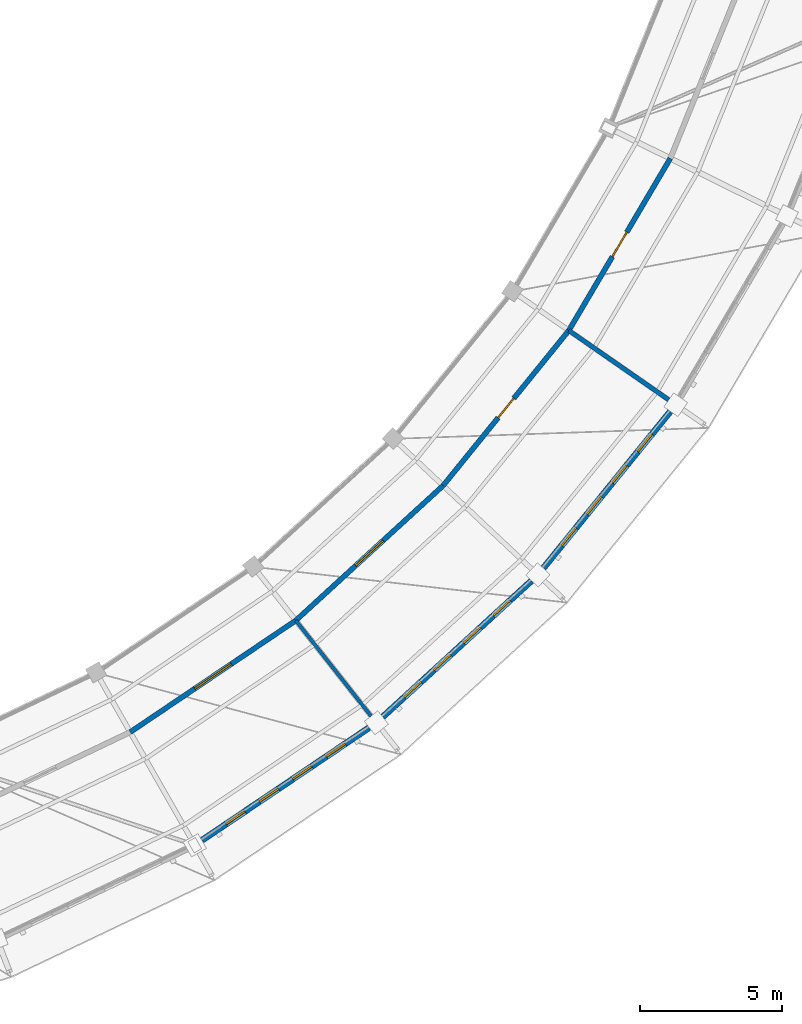
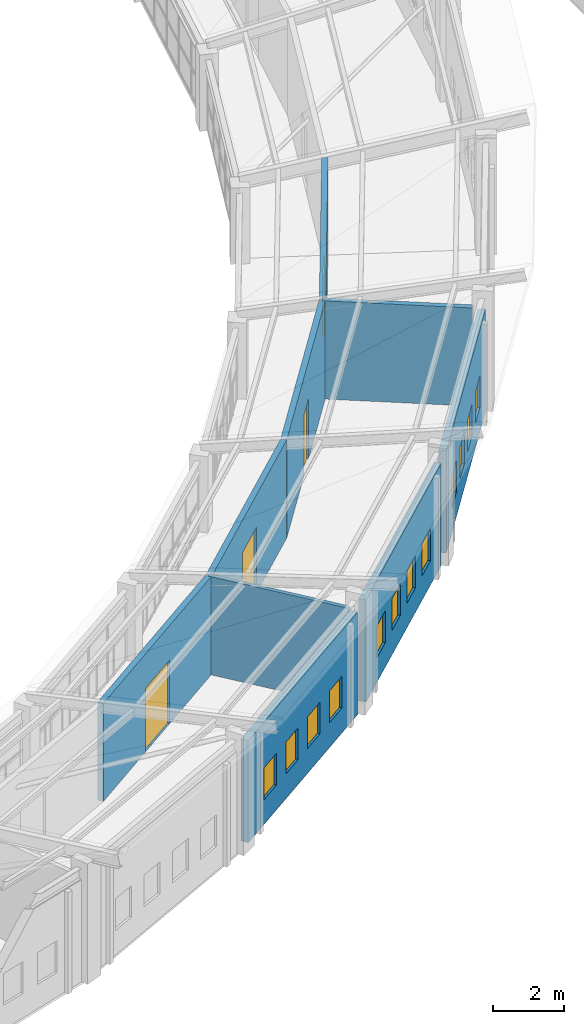
# One storey, part 124 of 149: 12 windows, 9 walls, 4 doors, 16 openings.
"""IFC4 building model written with IfcOpenShell, lengths in metres."""

from ifc_helpers import new_model, si_unit, direction, frame, frame_2d, origin, place, context, subcontext, project, spatial, rectangle, extrude, material, layer, layer_set, type_object, element, fill, save


model = new_model("IFC4")

# Units and contexts
model_context = context("Model", 3, precision=1e-05, world=origin(), true_north=direction((0.0, 1.0)))
body_context = subcontext(model_context, "Body", "Model", "MODEL_VIEW")
ifc_project = project(units=[si_unit("LENGTHUNIT", "METRE"), si_unit("AREAUNIT", "SQUARE_METRE"), si_unit("VOLUMEUNIT", "CUBIC_METRE"), si_unit("PLANEANGLEUNIT", "RADIAN"), si_unit("MASSUNIT", "GRAM", prefix="KILO")], contexts=[model_context])

# Site, building, storey
site_placement = place(None, origin())
site = spatial("IfcSite", under=ifc_project, at=site_placement, CompositionType="ELEMENT")
building_placement = place(site_placement, origin())
building = spatial("IfcBuilding", under=site, at=building_placement, Name="Celadon Cloister-Ring School", CompositionType="ELEMENT")
storey_placement = place(building_placement, frame((0.0, 0.0, 12.5)))
storey = spatial("IfcBuildingStorey", under=building, at=storey_placement, Name="L03", CompositionType="ELEMENT", Elevation=12.5)

# Wall, openings, windows
ifc_material_1 = material(Name="Perforated terracotta clay brick masonry", Category="masonry")
ifc_layer_1 = layer(ifc_material_1, 0.219970703125)
ifc_layer_set_1 = layer_set([ifc_layer_1], Name="Perforated terracotta clay brick masonry")
wall_type_1 = type_object("IfcWallType", Name="WT-EX4", PredefinedType="SOLIDWALL", material=ifc_layer_set_1)
wall_1_placement = place(storey_placement, frame((118.922119140625, 17.97900390625, 0.0), z_axis=(0.0, 0.0, 1.0), x_axis=(-0.829217797208, -0.558925616512, 0.0)))
wall_1 = element("IfcWall", 1, at=wall_1_placement, inside=storey, type_object=wall_type_1, Name="Exterior Wall 0195", PredefinedType="SOLIDWALL", context=body_context, shape_type="SweptSolid", body=[
    extrude(rectangle(XDim=7.08154296875, YDim=0.219970703125, at=frame_2d((3.540771484375, 0.0))), origin(), (0.0, 0.0, 1.0), 3.537109375),
])
opening_1_placement = place(wall_1_placement, frame((1.01611328125, 0.0, 0.85009765625)))
opening_1 = element("IfcOpeningElement", 2, at=opening_1_placement, cuts=wall_1, Name="Opening WN-01", PredefinedType="OPENING", context=body_context, shape_type="SweptSolid", body=[
    extrude(rectangle(XDim=0.800048828125, YDim=1.10009765625, at=frame_2d((0.39990234375, 0.550048828125))), frame((0.0, 0.1201171875, 0.0), z_axis=(0.0, -1.0, 0.0), x_axis=(1.0, 0.0, 0.0)), (0.0, 0.0, 1.0), 0.239990234375),
])
opening_2_placement = place(wall_1_placement, frame((2.43310546875, 0.0, 0.85009765625)))
opening_2 = element("IfcOpeningElement", 3, at=opening_2_placement, cuts=wall_1, Name="Opening WN-01", PredefinedType="OPENING", context=body_context, shape_type="SweptSolid", body=[
    extrude(rectangle(XDim=0.800048828125, YDim=1.10009765625, at=frame_2d((0.39990234375, 0.550048828125))), frame((0.0, 0.1201171875, 0.0), z_axis=(0.0, -1.0, 0.0), x_axis=(1.0, 0.0, 0.0)), (0.0, 0.0, 1.0), 0.239990234375),
])
opening_3_placement = place(wall_1_placement, frame((3.84912109375, 0.0, 0.85009765625)))
opening_3 = element("IfcOpeningElement", 4, at=opening_3_placement, cuts=wall_1, Name="Opening WN-01", PredefinedType="OPENING", context=body_context, shape_type="SweptSolid", body=[
    extrude(rectangle(XDim=0.800048828125, YDim=1.10009765625, at=frame_2d((0.39990234375, 0.550048828125))), frame((0.0, 0.1201171875, 0.0), z_axis=(0.0, -1.0, 0.0), x_axis=(1.0, 0.0, 0.0)), (0.0, 0.0, 1.0), 0.239990234375),
])
opening_4_placement = place(wall_1_placement, frame((5.264892578125, 0.0, 0.85009765625)))
opening_4 = element("IfcOpeningElement", 5, at=opening_4_placement, cuts=wall_1, Name="Opening WN-01", PredefinedType="OPENING", context=body_context, shape_type="SweptSolid", body=[
    extrude(rectangle(XDim=0.800048828125, YDim=1.10009765625, at=frame_2d((0.39990234375, 0.550048828125))), frame((0.0, 0.1201171875, 0.0), z_axis=(0.0, -1.0, 0.0), x_axis=(1.0, 0.0, 0.0)), (0.0, 0.0, 1.0), 0.239990234375),
])
ifc_material_2 = material(Name="Tempered laminated insulating glass", Category="glass")
window_type = type_object("IfcWindowType", Name="WN-01", PartitioningType="SINGLE_PANEL", PredefinedType="WINDOW", material=ifc_material_2)
window_1_placement = place(opening_1_placement, origin())
window_1 = element("IfcWindow", 6, at=window_1_placement, inside=storey, type_object=window_type, Name="Window 0522", OverallHeight=1.10009765625, OverallWidth=0.800048828125, PartitioningType="SINGLE_PANEL", PredefinedType="WINDOW", context=body_context, shape_type="SweptSolid", body=[
    extrude(rectangle(XDim=0.800048828125, YDim=1.10009765625, at=frame_2d((0.39990234375, 0.550048828125))), frame((0.0, 0.030029296875, 0.0), z_axis=(0.0, -1.0, 0.0), x_axis=(1.0, 0.0, 0.0)), (0.0, 0.0, 1.0), 0.06005859375),
])
fill(opening_1, window_1)
window_2_placement = place(opening_2_placement, origin())
window_2 = element("IfcWindow", 7, at=window_2_placement, inside=storey, type_object=window_type, Name="Window 0523", OverallHeight=1.10009765625, OverallWidth=0.800048828125, PartitioningType="SINGLE_PANEL", PredefinedType="WINDOW", context=body_context, shape_type="SweptSolid", body=[
    extrude(rectangle(XDim=0.800048828125, YDim=1.10009765625, at=frame_2d((0.39990234375, 0.550048828125))), frame((0.0, 0.030029296875, 0.0), z_axis=(0.0, -1.0, 0.0), x_axis=(1.0, 0.0, 0.0)), (0.0, 0.0, 1.0), 0.06005859375),
])
fill(opening_2, window_2)
window_3_placement = place(opening_3_placement, origin())
window_3 = element("IfcWindow", 8, at=window_3_placement, inside=storey, type_object=window_type, Name="Window 0524", OverallHeight=1.10009765625, OverallWidth=0.800048828125, PartitioningType="SINGLE_PANEL", PredefinedType="WINDOW", context=body_context, shape_type="SweptSolid", body=[
    extrude(rectangle(XDim=0.800048828125, YDim=1.10009765625, at=frame_2d((0.39990234375, 0.550048828125))), frame((0.0, 0.030029296875, 0.0), z_axis=(0.0, -1.0, 0.0), x_axis=(1.0, 0.0, 0.0)), (0.0, 0.0, 1.0), 0.06005859375),
])
fill(opening_3, window_3)
window_4_placement = place(opening_4_placement, origin())
window_4 = element("IfcWindow", 9, at=window_4_placement, inside=storey, type_object=window_type, Name="Window 0525", OverallHeight=1.10009765625, OverallWidth=0.800048828125, PartitioningType="SINGLE_PANEL", PredefinedType="WINDOW", context=body_context, shape_type="SweptSolid", body=[
    extrude(rectangle(XDim=0.800048828125, YDim=1.10009765625, at=frame_2d((0.39990234375, 0.550048828125))), frame((0.0, 0.030029296875, 0.0), z_axis=(0.0, -1.0, 0.0), x_axis=(1.0, 0.0, 0.0)), (0.0, 0.0, 1.0), 0.06005859375),
])
fill(opening_4, window_4)

wall_2_placement = place(storey_placement, frame((124.633056640625, 23.14599609375, 0.0), z_axis=(0.0, 0.0, 1.0), x_axis=(-0.737563208126, -0.675278101243, 0.0)))
wall_2 = element("IfcWall", 10, at=wall_2_placement, inside=storey, type_object=wall_type_1, Name="Exterior Wall 0196", PredefinedType="SOLIDWALL", context=body_context, shape_type="SweptSolid", body=[
    extrude(rectangle(XDim=7.0830078125, YDim=0.219970703125, at=frame_2d((3.54150390625, 0.0))), origin(), (0.0, 0.0, 1.0), 3.537109375),
])
opening_5_placement = place(wall_2_placement, frame((1.01708984375, 0.0, 0.85009765625)))
opening_5 = element("IfcOpeningElement", 11, at=opening_5_placement, cuts=wall_2, Name="Opening WN-01", PredefinedType="OPENING", context=body_context, shape_type="SweptSolid", body=[
    extrude(rectangle(XDim=0.800048828125, YDim=1.10009765625, at=frame_2d((0.39990234375, 0.550048828125))), frame((0.0, 0.1201171875, 0.0), z_axis=(0.0, -1.0, 0.0), x_axis=(1.0, 0.0, 0.0)), (0.0, 0.0, 1.0), 0.239990234375),
])
opening_6_placement = place(wall_2_placement, frame((2.43310546875, 0.0, 0.85009765625)))
opening_6 = element("IfcOpeningElement", 12, at=opening_6_placement, cuts=wall_2, Name="Opening WN-01", PredefinedType="OPENING", context=body_context, shape_type="SweptSolid", body=[
    extrude(rectangle(XDim=0.800048828125, YDim=1.10009765625, at=frame_2d((0.39990234375, 0.550048828125))), frame((0.0, 0.1201171875, 0.0), z_axis=(0.0, -1.0, 0.0), x_axis=(1.0, 0.0, 0.0)), (0.0, 0.0, 1.0), 0.239990234375),
])
opening_7_placement = place(wall_2_placement, frame((3.85009765625, 0.0, 0.85009765625)))
opening_7 = element("IfcOpeningElement", 13, at=opening_7_placement, cuts=wall_2, Name="Opening WN-01", PredefinedType="OPENING", context=body_context, shape_type="SweptSolid", body=[
    extrude(rectangle(XDim=0.800048828125, YDim=1.10009765625, at=frame_2d((0.39990234375, 0.550048828125))), frame((0.0, 0.1201171875, 0.0), z_axis=(0.0, -1.0, 0.0), x_axis=(1.0, 0.0, 0.0)), (0.0, 0.0, 1.0), 0.239990234375),
])
opening_8_placement = place(wall_2_placement, frame((5.26611328125, 0.0, 0.85009765625)))
opening_8 = element("IfcOpeningElement", 14, at=opening_8_placement, cuts=wall_2, Name="Opening WN-01", PredefinedType="OPENING", context=body_context, shape_type="SweptSolid", body=[
    extrude(rectangle(XDim=0.800048828125, YDim=1.10009765625, at=frame_2d((0.39990234375, 0.550048828125))), frame((0.0, 0.1201171875, 0.0), z_axis=(0.0, -1.0, 0.0), x_axis=(1.0, 0.0, 0.0)), (0.0, 0.0, 1.0), 0.239990234375),
])
window_5_placement = place(opening_5_placement, origin())
window_5 = element("IfcWindow", 15, at=window_5_placement, inside=storey, type_object=window_type, Name="Window 0526", OverallHeight=1.10009765625, OverallWidth=0.800048828125, PartitioningType="SINGLE_PANEL", PredefinedType="WINDOW", context=body_context, shape_type="SweptSolid", body=[
    extrude(rectangle(XDim=0.800048828125, YDim=1.10009765625, at=frame_2d((0.39990234375, 0.550048828125))), frame((0.0, 0.030029296875, 0.0), z_axis=(0.0, -1.0, 0.0), x_axis=(1.0, 0.0, 0.0)), (0.0, 0.0, 1.0), 0.06005859375),
])
fill(opening_5, window_5)
window_6_placement = place(opening_6_placement, origin())
window_6 = element("IfcWindow", 16, at=window_6_placement, inside=storey, type_object=window_type, Name="Window 0527", OverallHeight=1.10009765625, OverallWidth=0.800048828125, PartitioningType="SINGLE_PANEL", PredefinedType="WINDOW", context=body_context, shape_type="SweptSolid", body=[
    extrude(rectangle(XDim=0.800048828125, YDim=1.10009765625, at=frame_2d((0.39990234375, 0.550048828125))), frame((0.0, 0.030029296875, 0.0), z_axis=(0.0, -1.0, 0.0), x_axis=(1.0, 0.0, 0.0)), (0.0, 0.0, 1.0), 0.06005859375),
])
fill(opening_6, window_6)
window_7_placement = place(opening_7_placement, origin())
window_7 = element("IfcWindow", 17, at=window_7_placement, inside=storey, type_object=window_type, Name="Window 0528", OverallHeight=1.10009765625, OverallWidth=0.800048828125, PartitioningType="SINGLE_PANEL", PredefinedType="WINDOW", context=body_context, shape_type="SweptSolid", body=[
    extrude(rectangle(XDim=0.800048828125, YDim=1.10009765625, at=frame_2d((0.39990234375, 0.550048828125))), frame((0.0, 0.030029296875, 0.0), z_axis=(0.0, -1.0, 0.0), x_axis=(1.0, 0.0, 0.0)), (0.0, 0.0, 1.0), 0.06005859375),
])
fill(opening_7, window_7)
window_8_placement = place(opening_8_placement, origin())
window_8 = element("IfcWindow", 18, at=window_8_placement, inside=storey, type_object=window_type, Name="Window 0529", OverallHeight=1.10009765625, OverallWidth=0.800048828125, PartitioningType="SINGLE_PANEL", PredefinedType="WINDOW", context=body_context, shape_type="SweptSolid", body=[
    extrude(rectangle(XDim=0.800048828125, YDim=1.10009765625, at=frame_2d((0.39990234375, 0.550048828125))), frame((0.0, 0.030029296875, 0.0), z_axis=(0.0, -1.0, 0.0), x_axis=(1.0, 0.0, 0.0)), (0.0, 0.0, 1.0), 0.06005859375),
])
fill(opening_8, window_8)

wall_3_placement = place(storey_placement, frame((129.51611328125, 29.09912109375, 0.0), z_axis=(0.0, 0.0, 1.0), x_axis=(-0.629593904529, -0.776924394893, 0.0)))
wall_3 = element("IfcWall", 19, at=wall_3_placement, inside=storey, type_object=wall_type_1, Name="Exterior Wall 0197", PredefinedType="SOLIDWALL", context=body_context, shape_type="SweptSolid", body=[
    extrude(rectangle(XDim=7.080810546875, YDim=0.219970703125, at=frame_2d((3.54052734375, 0.0))), origin(), (0.0, 0.0, 1.0), 3.537109375),
])
opening_9_placement = place(wall_3_placement, frame((1.01611328125, 0.0, 0.85009765625)))
opening_9 = element("IfcOpeningElement", 20, at=opening_9_placement, cuts=wall_3, Name="Opening WN-01", PredefinedType="OPENING", context=body_context, shape_type="SweptSolid", body=[
    extrude(rectangle(XDim=0.800048828125, YDim=1.10009765625, at=frame_2d((0.39990234375, 0.550048828125))), frame((0.0, 0.1201171875, 0.0), z_axis=(0.0, -1.0, 0.0), x_axis=(1.0, 0.0, 0.0)), (0.0, 0.0, 1.0), 0.239990234375),
])
opening_10_placement = place(wall_3_placement, frame((2.431884765625, 0.0, 0.85009765625)))
opening_10 = element("IfcOpeningElement", 21, at=opening_10_placement, cuts=wall_3, Name="Opening WN-01", PredefinedType="OPENING", context=body_context, shape_type="SweptSolid", body=[
    extrude(rectangle(XDim=0.800048828125, YDim=1.10009765625, at=frame_2d((0.39990234375, 0.550048828125))), frame((0.0, 0.1201171875, 0.0), z_axis=(0.0, -1.0, 0.0), x_axis=(1.0, 0.0, 0.0)), (0.0, 0.0, 1.0), 0.239990234375),
])
opening_11_placement = place(wall_3_placement, frame((3.847900390625, 0.0, 0.85009765625)))
opening_11 = element("IfcOpeningElement", 22, at=opening_11_placement, cuts=wall_3, Name="Opening WN-01", PredefinedType="OPENING", context=body_context, shape_type="SweptSolid", body=[
    extrude(rectangle(XDim=0.800048828125, YDim=1.10009765625, at=frame_2d((0.39990234375, 0.550048828125))), frame((0.0, 0.1201171875, 0.0), z_axis=(0.0, -1.0, 0.0), x_axis=(1.0, 0.0, 0.0)), (0.0, 0.0, 1.0), 0.239990234375),
])
opening_12_placement = place(wall_3_placement, frame((5.263916015625, 0.0, 0.85009765625)))
opening_12 = element("IfcOpeningElement", 23, at=opening_12_placement, cuts=wall_3, Name="Opening WN-01", PredefinedType="OPENING", context=body_context, shape_type="SweptSolid", body=[
    extrude(rectangle(XDim=0.800048828125, YDim=1.10009765625, at=frame_2d((0.39990234375, 0.550048828125))), frame((0.0, 0.1201171875, 0.0), z_axis=(0.0, -1.0, 0.0), x_axis=(1.0, 0.0, 0.0)), (0.0, 0.0, 1.0), 0.239990234375),
])
window_9_placement = place(opening_9_placement, origin())
window_9 = element("IfcWindow", 24, at=window_9_placement, inside=storey, type_object=window_type, Name="Window 0530", OverallHeight=1.10009765625, OverallWidth=0.800048828125, PartitioningType="SINGLE_PANEL", PredefinedType="WINDOW", context=body_context, shape_type="SweptSolid", body=[
    extrude(rectangle(XDim=0.800048828125, YDim=1.10009765625, at=frame_2d((0.39990234375, 0.550048828125))), frame((0.0, 0.030029296875, 0.0), z_axis=(0.0, -1.0, 0.0), x_axis=(1.0, 0.0, 0.0)), (0.0, 0.0, 1.0), 0.06005859375),
])
fill(opening_9, window_9)
window_10_placement = place(opening_10_placement, origin())
window_10 = element("IfcWindow", 25, at=window_10_placement, inside=storey, type_object=window_type, Name="Window 0531", OverallHeight=1.10009765625, OverallWidth=0.800048828125, PartitioningType="SINGLE_PANEL", PredefinedType="WINDOW", context=body_context, shape_type="SweptSolid", body=[
    extrude(rectangle(XDim=0.800048828125, YDim=1.10009765625, at=frame_2d((0.39990234375, 0.550048828125))), frame((0.0, 0.030029296875, 0.0), z_axis=(0.0, -1.0, 0.0), x_axis=(1.0, 0.0, 0.0)), (0.0, 0.0, 1.0), 0.06005859375),
])
fill(opening_10, window_10)
window_11_placement = place(opening_11_placement, origin())
window_11 = element("IfcWindow", 26, at=window_11_placement, inside=storey, type_object=window_type, Name="Window 0532", OverallHeight=1.10009765625, OverallWidth=0.800048828125, PartitioningType="SINGLE_PANEL", PredefinedType="WINDOW", context=body_context, shape_type="SweptSolid", body=[
    extrude(rectangle(XDim=0.800048828125, YDim=1.10009765625, at=frame_2d((0.39990234375, 0.550048828125))), frame((0.0, 0.030029296875, 0.0), z_axis=(0.0, -1.0, 0.0), x_axis=(1.0, 0.0, 0.0)), (0.0, 0.0, 1.0), 0.06005859375),
])
fill(opening_11, window_11)
window_12_placement = place(opening_12_placement, origin())
window_12 = element("IfcWindow", 27, at=window_12_placement, inside=storey, type_object=window_type, Name="Window 0533", OverallHeight=1.10009765625, OverallWidth=0.800048828125, PartitioningType="SINGLE_PANEL", PredefinedType="WINDOW", context=body_context, shape_type="SweptSolid", body=[
    extrude(rectangle(XDim=0.800048828125, YDim=1.10009765625, at=frame_2d((0.39990234375, 0.550048828125))), frame((0.0, 0.030029296875, 0.0), z_axis=(0.0, -1.0, 0.0), x_axis=(1.0, 0.0, 0.0)), (0.0, 0.0, 1.0), 0.06005859375),
])
fill(opening_12, window_12)

# Wall, opening, door
ifc_material_3 = material(Name="Plastered hollow concrete masonry", Category="masonry")
ifc_layer_2 = layer(ifc_material_3, 0.179931640625)
ifc_layer_set_2 = layer_set([ifc_layer_2], Name="Plastered hollow concrete masonry")
wall_type_2 = type_object("IfcWallType", Name="WT-PT2", PredefinedType="PARTITIONING", material=ifc_layer_set_2)
wall_4_placement = place(storey_placement, frame((110.52099609375, 17.823974609375, 0.0), z_axis=(0.0, 0.0, 1.0), x_axis=(0.829168029301, 0.558999444709, 0.0)))
wall_4 = element("IfcWall", 28, at=wall_4_placement, inside=storey, type_object=wall_type_2, Name="Interior Wall 0626", PredefinedType="PARTITIONING", context=body_context, shape_type="SweptSolid", body=[
    extrude(rectangle(XDim=7.025146484375, YDim=0.179931640625, at=frame_2d((3.5126953125, 0.0))), origin(), (0.0, 0.0, 1.0), 3.39697265625),
])
opening_13_placement = place(wall_4_placement, frame((2.738037109375, 0.0, 0.0)))
opening_13 = element("IfcOpeningElement", 29, at=opening_13_placement, cuts=wall_4, Name="Opening D-0223", PredefinedType="OPENING", context=body_context, shape_type="SweptSolid", body=[
    extrude(rectangle(XDim=1.550048828125, YDim=2.199951171875, at=frame_2d((0.77490234375, 1.10009765625))), frame((0.0, 0.10009765625, 0.0), z_axis=(0.0, -1.0, 0.0), x_axis=(1.0, 0.0, 0.0)), (0.0, 0.0, 1.0), 0.199951171875),
])
ifc_material_4 = material(Name="Galvanised fire-rated hollow steel leaf", Category="steel")
door_type_1 = type_object("IfcDoorType", Name="DT-13", OperationType="NOTDEFINED", PredefinedType="DOOR", material=ifc_material_4)
door_1_placement = place(opening_13_placement, origin())
door_1 = element("IfcDoor", 30, at=door_1_placement, inside=storey, type_object=door_type_1, Name="Door D-0223", OperationType="SINGLE_SWING_LEFT", OverallHeight=2.199951171875, OverallWidth=1.550048828125, PredefinedType="DOOR", context=body_context, shape_type="SweptSolid", body=[
    extrude(rectangle(XDim=1.550048828125, YDim=2.199951171875, at=frame_2d((0.77490234375, 1.10009765625))), frame((0.0, 0.02490234375, 0.0), z_axis=(0.0, -1.0, 0.0), x_axis=(1.0, 0.0, 0.0)), (0.0, 0.0, 1.0), 0.050048828125),
])
fill(opening_13, door_1)

wall_5_placement = place(storey_placement, frame((116.345947265625, 21.7509765625, 0.0), z_axis=(0.0, 0.0, 1.0), x_axis=(0.737526212357, 0.67531850714, 0.0)))
wall_5 = element("IfcWall", 31, at=wall_5_placement, inside=storey, type_object=wall_type_2, Name="Interior Wall 0627", PredefinedType="PARTITIONING", context=body_context, shape_type="SweptSolid", body=[
    extrude(rectangle(XDim=7.025146484375, YDim=0.179931640625, at=frame_2d((3.5126953125, 0.0))), origin(), (0.0, 0.0, 1.0), 3.39697265625),
])
opening_14_placement = place(wall_5_placement, frame((2.862060546875, 0.0, 0.0)))
opening_14 = element("IfcOpeningElement", 32, at=opening_14_placement, cuts=wall_5, Name="Opening D-0224", PredefinedType="OPENING", context=body_context, shape_type="SweptSolid", body=[
    extrude(rectangle(XDim=1.300048828125, YDim=2.280029296875, at=frame_2d((0.64990234375, 1.14013671875))), frame((0.0, 0.10009765625, 0.0), z_axis=(0.0, -1.0, 0.0), x_axis=(1.0, 0.0, 0.0)), (0.0, 0.0, 1.0), 0.199951171875),
])
ifc_material_5 = material(Name="Galvanised fire-rated hollow steel leaf", Category="steel")
door_type_2 = type_object("IfcDoorType", Name="DT-16", OperationType="NOTDEFINED", PredefinedType="DOOR", material=ifc_material_5)
door_2_placement = place(opening_14_placement, origin())
door_2 = element("IfcDoor", 33, at=door_2_placement, inside=storey, type_object=door_type_2, Name="Door D-0224", OperationType="SINGLE_SWING_RIGHT", OverallHeight=2.280029296875, OverallWidth=1.300048828125, PredefinedType="DOOR", context=body_context, shape_type="SweptSolid", body=[
    extrude(rectangle(XDim=1.300048828125, YDim=2.280029296875, at=frame_2d((0.64990234375, 1.14013671875))), frame((0.0, 0.02490234375, 0.0), z_axis=(0.0, -1.0, 0.0), x_axis=(1.0, 0.0, 0.0)), (0.0, 0.0, 1.0), 0.050048828125),
])
fill(opening_14, door_2)

wall_6_placement = place(storey_placement, frame((121.527099609375, 26.4951171875, 0.0), z_axis=(0.0, 0.0, 1.0), x_axis=(0.629599050971, 0.776920224358, 0.0)))
wall_6 = element("IfcWall", 34, at=wall_6_placement, inside=storey, type_object=wall_type_2, Name="Interior Wall 0628", PredefinedType="PARTITIONING", context=body_context, shape_type="SweptSolid", body=[
    extrude(rectangle(XDim=7.02490234375, YDim=0.179931640625, at=frame_2d((3.512451171875, 0.0))), origin(), (0.0, 0.0, 1.0), 3.39697265625),
])
opening_15_placement = place(wall_6_placement, frame((3.072998046875, 0.0, 0.0)))
opening_15 = element("IfcOpeningElement", 35, at=opening_15_placement, cuts=wall_6, Name="Opening D-0225", PredefinedType="OPENING", context=body_context, shape_type="SweptSolid", body=[
    extrude(rectangle(XDim=0.8798828125, YDim=2.10009765625, at=frame_2d((0.43994140625, 1.050048828125))), frame((0.0, 0.10009765625, 0.0), z_axis=(0.0, -1.0, 0.0), x_axis=(1.0, 0.0, 0.0)), (0.0, 0.0, 1.0), 0.199951171875),
])
ifc_material_6 = material(Name="Solid-core fire-rated hardwood leaf", Category="wood")
door_type_3 = type_object("IfcDoorType", Name="DT-01", OperationType="NOTDEFINED", PredefinedType="DOOR", material=ifc_material_6)
door_3_placement = place(opening_15_placement, origin())
door_3 = element("IfcDoor", 36, at=door_3_placement, inside=storey, type_object=door_type_3, Name="Door D-0225", OperationType="SINGLE_SWING_LEFT", OverallHeight=2.10009765625, OverallWidth=0.8798828125, PredefinedType="DOOR", context=body_context, shape_type="SweptSolid", body=[
    extrude(rectangle(XDim=0.8798828125, YDim=2.10009765625, at=frame_2d((0.43994140625, 1.050048828125))), frame((0.0, 0.02490234375, 0.0), z_axis=(0.0, -1.0, 0.0), x_axis=(1.0, 0.0, 0.0)), (0.0, 0.0, 1.0), 0.050048828125),
])
fill(opening_15, door_3)

wall_7_placement = place(storey_placement, frame((125.949951171875, 31.952880859375, 0.0), z_axis=(0.0, 0.0, 1.0), x_axis=(0.508041876767, 0.861332369908, 0.0)))
wall_7 = element("IfcWall", 37, at=wall_7_placement, inside=storey, type_object=wall_type_2, Name="Interior Wall 0629", PredefinedType="PARTITIONING", context=body_context, shape_type="SweptSolid", body=[
    extrude(rectangle(XDim=7.025146484375, YDim=0.179931640625, at=frame_2d((3.5126953125, 0.0))), origin(), (0.0, 0.0, 1.0), 3.39697265625),
])
opening_16_placement = place(wall_7_placement, frame((3.012939453125, 0.0, 0.0)))
opening_16 = element("IfcOpeningElement", 38, at=opening_16_placement, cuts=wall_7, Name="Opening D-0226", PredefinedType="OPENING", context=body_context, shape_type="SweptSolid", body=[
    extrude(rectangle(XDim=1.0, YDim=2.10009765625, at=frame_2d((0.5, 1.050048828125))), frame((0.0, 0.10009765625, 0.0), z_axis=(0.0, -1.0, 0.0), x_axis=(1.0, 0.0, 0.0)), (0.0, 0.0, 1.0), 0.199951171875),
])
ifc_material_7 = material(Name="Solid-core fire-rated hardwood leaf", Category="wood")
door_type_4 = type_object("IfcDoorType", Name="DT-04", OperationType="NOTDEFINED", PredefinedType="DOOR", material=ifc_material_7)
door_4_placement = place(opening_16_placement, origin())
door_4 = element("IfcDoor", 39, at=door_4_placement, inside=storey, type_object=door_type_4, Name="Door D-0226", OperationType="SINGLE_SWING_RIGHT", OverallHeight=2.10009765625, OverallWidth=1.0, PredefinedType="DOOR", context=body_context, shape_type="SweptSolid", body=[
    extrude(rectangle(XDim=1.0, YDim=2.10009765625, at=frame_2d((0.5, 1.050048828125))), frame((0.0, 0.02490234375, 0.0), z_axis=(0.0, -1.0, 0.0), x_axis=(1.0, 0.0, 0.0)), (0.0, 0.0, 1.0), 0.050048828125),
])
fill(opening_16, door_4)

# Walls
ifc_material_8 = material(Name="Plastered hollow concrete masonry", Category="masonry")
ifc_layer_3 = layer(ifc_material_8, 0.159912109375)
ifc_layer_set_3 = layer_set([ifc_layer_3], Name="Plastered hollow concrete masonry")
wall_type_3 = type_object("IfcWallType", Name="WT-PT3", PredefinedType="PARTITIONING", material=ifc_layer_set_3)
wall_8_placement = place(storey_placement, frame((125.949951171875, 31.952880859375, 0.0), z_axis=(0.0, 0.0, 1.0), x_axis=(0.821478147988, -0.570239995422, 0.0)))
element("IfcWall", 40, at=wall_8_placement, inside=storey, type_object=wall_type_3, Name="Interior Wall 0602", PredefinedType="PARTITIONING", context=body_context, shape_type="SweptSolid", body=[
    extrude(rectangle(XDim=4.287353515625, YDim=0.159912109375, at=frame_2d((2.1435546875, 0.0))), origin(), (0.0, 0.0, 1.0), 3.39697265625),
])
ifc_material_9 = material(Name="Acoustic mineral-wool drywall partition")
ifc_layer_4 = layer(ifc_material_9, 0.1201171875)
ifc_layer_set_4 = layer_set([ifc_layer_4], Name="Acoustic mineral-wool drywall partition")
wall_type_4 = type_object("IfcWallType", Name="WT-PT5", PredefinedType="PARTITIONING", material=ifc_layer_set_4)
wall_9_placement = place(storey_placement, frame((116.345947265625, 21.7509765625, 0.0), z_axis=(0.0, 0.0, 1.0), x_axis=(0.618698700761, -0.785628358498, 0.0)))
element("IfcWall", 41, at=wall_9_placement, inside=storey, type_object=wall_type_4, Name="Interior Wall 0601", PredefinedType="PARTITIONING", context=body_context, shape_type="SweptSolid", body=[
    extrude(rectangle(XDim=4.2880859375, YDim=0.1201171875, at=frame_2d((2.14404296875, 0.0))), origin(), (0.0, 0.0, 1.0), 3.39697265625),
])

save(model, "model.ifc")
